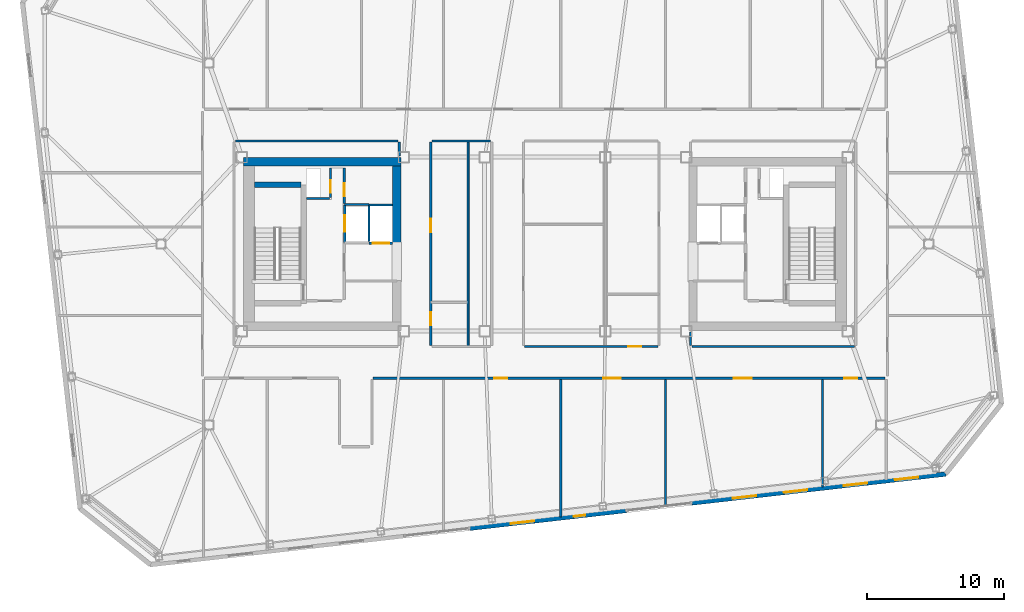
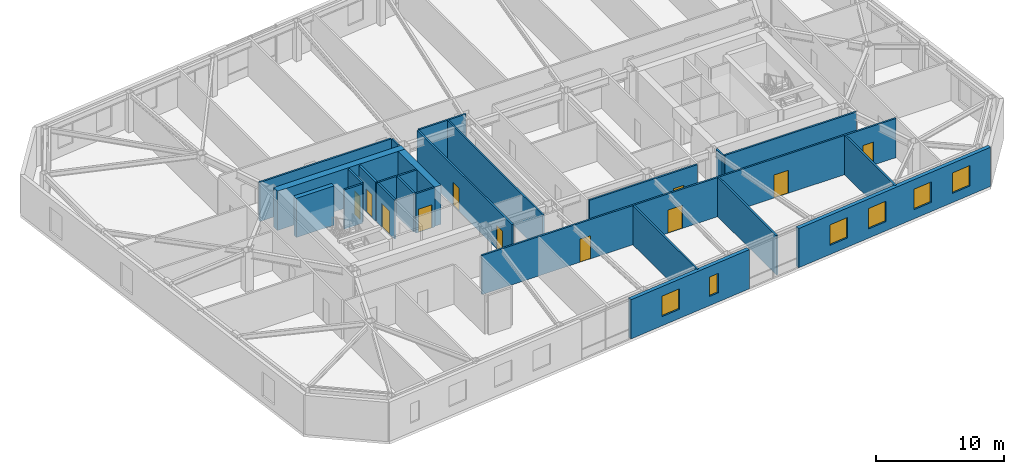
# One storey, part 13 of 19: 25 walls, 11 doors, 6 windows, 17 openings.
"""IFC4 building model written with IfcOpenShell, lengths in metres."""

from ifc_helpers import new_model, si_unit, direction, frame, frame_2d, origin, place, context, subcontext, project, spatial, rectangle, extrude, material, layer, layer_set, type_object, element, fill, save


model = new_model("IFC4")

# Units and contexts
model_context = context("Model", 3, precision=1e-05, world=origin(), true_north=direction((0.0, 1.0)))
body_context = subcontext(model_context, "Body", "Model", "MODEL_VIEW")
ifc_project = project(units=[si_unit("LENGTHUNIT", "METRE"), si_unit("AREAUNIT", "SQUARE_METRE"), si_unit("VOLUMEUNIT", "CUBIC_METRE"), si_unit("PLANEANGLEUNIT", "RADIAN"), si_unit("MASSUNIT", "GRAM", prefix="KILO")], contexts=[model_context])

# Site, building, storey
site_placement = place(None, origin())
site = spatial("IfcSite", under=ifc_project, at=site_placement, CompositionType="ELEMENT")
building_placement = place(site_placement, origin())
building = spatial("IfcBuilding", under=site, at=building_placement, Name="Tavrogorsk Clinical Tower", CompositionType="ELEMENT")
storey_placement = place(building_placement, frame((0.0, 0.0, 255.0)))
storey = spatial("IfcBuildingStorey", under=building, at=storey_placement, Name="L59", CompositionType="ELEMENT", Elevation=255.0)

# Wall, opening, door
ifc_material_1 = material(Name="Concrete B60", Category="concrete")
ifc_layer_1 = layer(ifc_material_1, 0.199951171875)
ifc_layer_set_1 = layer_set([ifc_layer_1], Name="Concrete B60")
wall_type_1 = type_object("IfcWallType", Name="CoreFireWall_200", PredefinedType="SOLIDWALL", material=ifc_layer_set_1)
wall_1_placement = place(storey_placement, frame((-14.639892578125, 2.9599609375, 0.0), z_axis=(0.0, 0.0, 1.0), x_axis=(0.0, 1.0, 0.0)))
wall_1 = element("IfcWall", 1, at=wall_1_placement, inside=storey, type_object=wall_type_1, Name="L59 Core West North Core Room East Wall", PredefinedType="SOLIDWALL", context=body_context, shape_type="SweptSolid", body=[
    extrude(rectangle(XDim=2.60009765625, YDim=0.199951171875, at=frame_2d((1.300048828125, 0.0))), origin(), (0.0, 0.0, 1.0), 3.739990234375),
])
opening_1_placement = place(wall_1_placement, frame((0.52001953125, 0.0, 0.0)))
opening_1 = element("IfcOpeningElement", 2, at=opening_1_placement, cuts=wall_1, Name="Opening ID-02", PredefinedType="OPENING", context=body_context, shape_type="SweptSolid", body=[
    extrude(rectangle(XDim=0.949951171875, YDim=2.199951171875, at=frame_2d((0.47509765625, 1.10009765625))), frame((0.0, 0.10986328125, 0.0), z_axis=(0.0, -1.0, 0.0), x_axis=(1.0, 0.0, 0.0)), (0.0, 0.0, 1.0), 0.219970703125),
])
ifc_material_2 = material(Name="Laminated timber leaf on aluminium frame", Category="wood")
door_type_1 = type_object("IfcDoorType", Name="InteriorDoor_ID02_950", OperationType="NOTDEFINED", PredefinedType="DOOR", material=ifc_material_2)
door_1_placement = place(opening_1_placement, origin())
door_1 = element("IfcDoor", 3, at=door_1_placement, inside=storey, type_object=door_type_1, Name="L59 Core West Core Telemetry Room Door", OperationType="SINGLE_SWING_LEFT", OverallHeight=2.199951171875, OverallWidth=0.949951171875, PredefinedType="DOOR", context=body_context, shape_type="SweptSolid", body=[
    extrude(rectangle(XDim=0.949951171875, YDim=2.199951171875, at=frame_2d((0.47509765625, 1.10009765625))), frame((0.0, 0.02490234375, 0.0), z_axis=(0.0, -1.0, 0.0), x_axis=(1.0, 0.0, 0.0)), (0.0, 0.0, 1.0), 0.050048828125),
])
fill(opening_1, door_1)

# Wall
ifc_material_3 = material(Name="Lightweight concrete blockwork B15", Category="masonry")
ifc_layer_2 = layer(ifc_material_3, 0.139892578125)
ifc_layer_set_2 = layer_set([ifc_layer_2], Name="Lightweight concrete blockwork B15")
wall_type_2 = type_object("IfcWallType", Name="PartitionWall_140", PredefinedType="PARTITIONING", material=ifc_layer_set_2)
wall_2_placement = place(storey_placement, frame((-5.60009765625, -7.465087890625, 0.0), z_axis=(0.0, 0.0, 1.0), x_axis=(0.0, 1.0, 0.0)))
element("IfcWall", 4, at=wall_2_placement, inside=storey, type_object=wall_type_2, Name="L59 Central Spine Partition 1", PredefinedType="PARTITIONING", context=body_context, shape_type="SweptSolid", body=[
    extrude(rectangle(XDim=14.97998046875, YDim=0.139892578125, at=frame_2d((7.489990234375, 0.0))), origin(), (0.0, 0.0, 1.0), 3.739990234375),
])

# Wall, openings, doors
ifc_material_4 = material(Name="Lightweight concrete blockwork B15", Category="masonry")
ifc_layer_3 = layer(ifc_material_4, 0.159912109375)
ifc_layer_set_3 = layer_set([ifc_layer_3], Name="Lightweight concrete blockwork B15")
wall_type_3 = type_object("IfcWallType", Name="PartitionWall_160", PredefinedType="PARTITIONING", material=ifc_layer_set_3)
wall_3_placement = place(storey_placement, frame((24.81494140625, -9.780029296875, 0.0), z_axis=(0.0, 0.0, 1.0), x_axis=(-1.0, 0.0, 0.0)))
wall_3 = element("IfcWall", 5, at=wall_3_placement, inside=storey, type_object=wall_type_3, Name="L59 Corridor Partition 04", PredefinedType="PARTITIONING", context=body_context, shape_type="SweptSolid", body=[
    extrude(rectangle(XDim=37.349853515625, YDim=0.159912109375, at=frame_2d((18.6748046875, 0.0))), origin(), (0.0, 0.0, 1.0), 3.739990234375),
])
opening_2_placement = place(wall_3_placement, frame((27.550048828125, 0.0, 0.0)))
opening_2 = element("IfcOpeningElement", 6, at=opening_2_placement, cuts=wall_3, Name="Opening ID-02", PredefinedType="OPENING", context=body_context, shape_type="SweptSolid", body=[
    extrude(rectangle(XDim=0.949951171875, YDim=2.199951171875, at=frame_2d((0.47509765625, 1.10009765625))), frame((0.0, 0.08984375, 0.0), z_axis=(0.0, -1.0, 0.0), x_axis=(1.0, 0.0, 0.0)), (0.0, 0.0, 1.0), 0.179931640625),
])
opening_3_placement = place(wall_3_placement, frame((19.27490234375, 0.0, 0.0)))
opening_3 = element("IfcOpeningElement", 7, at=opening_3_placement, cuts=wall_3, Name="Opening ID-01", PredefinedType="OPENING", context=body_context, shape_type="SweptSolid", body=[
    extrude(rectangle(XDim=1.300048828125, YDim=2.199951171875, at=frame_2d((0.64990234375, 1.10009765625))), frame((0.0, 0.08984375, 0.0), z_axis=(0.0, -1.0, 0.0), x_axis=(1.0, 0.0, 0.0)), (0.0, 0.0, 1.0), 0.179931640625),
])
opening_4_placement = place(wall_3_placement, frame((9.72509765625, 0.0, 0.0)))
opening_4 = element("IfcOpeningElement", 8, at=opening_4_placement, cuts=wall_3, Name="Opening ID-01", PredefinedType="OPENING", context=body_context, shape_type="SweptSolid", body=[
    extrude(rectangle(XDim=1.300048828125, YDim=2.199951171875, at=frame_2d((0.64990234375, 1.10009765625))), frame((0.0, 0.08984375, 0.0), z_axis=(0.0, -1.0, 0.0), x_axis=(1.0, 0.0, 0.0)), (0.0, 0.0, 1.0), 0.179931640625),
])
opening_5_placement = place(wall_3_placement, frame((2.044189453125, 0.0, 0.0)))
opening_5 = element("IfcOpeningElement", 9, at=opening_5_placement, cuts=wall_3, Name="Opening ID-02", PredefinedType="OPENING", context=body_context, shape_type="SweptSolid", body=[
    extrude(rectangle(XDim=0.949951171875, YDim=2.199951171875, at=frame_2d((0.47509765625, 1.10009765625))), frame((0.0, 0.08984375, 0.0), z_axis=(0.0, -1.0, 0.0), x_axis=(1.0, 0.0, 0.0)), (0.0, 0.0, 1.0), 0.179931640625),
])
door_2_placement = place(opening_2_placement, origin())
door_2 = element("IfcDoor", 10, at=door_2_placement, inside=storey, type_object=door_type_1, Name="L59 South Attending Physician Office 03A Door", OperationType="SINGLE_SWING_LEFT", OverallHeight=2.199951171875, OverallWidth=0.949951171875, PredefinedType="DOOR", context=body_context, shape_type="SweptSolid", body=[
    extrude(rectangle(XDim=0.949951171875, YDim=2.199951171875, at=frame_2d((0.47509765625, 1.10009765625))), frame((0.0, 0.02490234375, 0.0), z_axis=(0.0, -1.0, 0.0), x_axis=(1.0, 0.0, 0.0)), (0.0, 0.0, 1.0), 0.050048828125),
])
fill(opening_2, door_2)
door_3_placement = place(opening_5_placement, origin())
door_3 = element("IfcDoor", 11, at=door_3_placement, inside=storey, type_object=door_type_1, Name="L59 South Clean Medication & Prep Room 05 Door", OperationType="SINGLE_SWING_RIGHT", OverallHeight=2.199951171875, OverallWidth=0.949951171875, PredefinedType="DOOR", context=body_context, shape_type="SweptSolid", body=[
    extrude(rectangle(XDim=0.949951171875, YDim=2.199951171875, at=frame_2d((0.47509765625, 1.10009765625))), frame((0.0, 0.02490234375, 0.0), z_axis=(0.0, -1.0, 0.0), x_axis=(1.0, 0.0, 0.0)), (0.0, 0.0, 1.0), 0.050048828125),
])
fill(opening_5, door_3)
ifc_material_5 = material(Name="Antibacterial HPL medical leaf on aluminium frame", Category="aluminium")
door_type_2 = type_object("IfcDoorType", Name="WardBedDoor_ID01_1300", OperationType="NOTDEFINED", PredefinedType="DOOR", material=ifc_material_5)
door_4_placement = place(opening_3_placement, origin())
door_4 = element("IfcDoor", 12, at=door_4_placement, inside=storey, type_object=door_type_2, Name="L59 South Bariatric Observation Ward 03B Door", OperationType="SINGLE_SWING_RIGHT", OverallHeight=2.199951171875, OverallWidth=1.300048828125, PredefinedType="DOOR", context=body_context, shape_type="SweptSolid", body=[
    extrude(rectangle(XDim=1.300048828125, YDim=2.199951171875, at=frame_2d((0.64990234375, 1.10009765625))), frame((0.0, 0.02490234375, 0.0), z_axis=(0.0, -1.0, 0.0), x_axis=(1.0, 0.0, 0.0)), (0.0, 0.0, 1.0), 0.050048828125),
])
fill(opening_3, door_4)
door_5_placement = place(opening_4_placement, origin())
door_5 = element("IfcDoor", 13, at=door_5_placement, inside=storey, type_object=door_type_2, Name="L59 South Acute Medical Ward 04 Door", OperationType="SINGLE_SWING_LEFT", OverallHeight=2.199951171875, OverallWidth=1.300048828125, PredefinedType="DOOR", context=body_context, shape_type="SweptSolid", body=[
    extrude(rectangle(XDim=1.300048828125, YDim=2.199951171875, at=frame_2d((0.64990234375, 1.10009765625))), frame((0.0, 0.02490234375, 0.0), z_axis=(0.0, -1.0, 0.0), x_axis=(1.0, 0.0, 0.0)), (0.0, 0.0, 1.0), 0.050048828125),
])
fill(opening_4, door_5)

# Walls
wall_4_placement = place(storey_placement, frame((10.6298828125, -6.419921875, 0.0), z_axis=(0.0, 0.0, 1.0), x_axis=(0.0, -1.0, 0.0)))
element("IfcWall", 14, at=wall_4_placement, inside=storey, type_object=wall_type_3, Name="L59 Corridor Partition 11", PredefinedType="PARTITIONING", context=body_context, shape_type="SweptSolid", body=[
    extrude(rectangle(XDim=0.965087890625, YDim=0.159912109375, at=frame_2d((0.482421875, 0.0))), origin(), (0.0, 0.0, 1.0), 3.739990234375),
])
wall_5_placement = place(storey_placement, frame((10.715087890625, -7.469970703125, 0.0), z_axis=(0.0, 0.0, 1.0), x_axis=(1.0, 0.0, 0.0)))
element("IfcWall", 15, at=wall_5_placement, inside=storey, type_object=wall_type_3, Name="L59 Corridor Partition 12", PredefinedType="PARTITIONING", context=body_context, shape_type="SweptSolid", body=[
    extrude(rectangle(XDim=11.869873046875, YDim=0.159912109375, at=frame_2d((5.93505859375, 0.0))), origin(), (0.0, 0.0, 1.0), 3.739990234375),
])

# Wall, opening, door
wall_6_placement = place(storey_placement, frame((-1.485107421875, -7.469970703125, 0.0), z_axis=(0.0, 0.0, 1.0), x_axis=(1.0, 0.0, 0.0)))
wall_6 = element("IfcWall", 16, at=wall_6_placement, inside=storey, type_object=wall_type_3, Name="L59 Corridor Partition 16", PredefinedType="PARTITIONING", context=body_context, shape_type="SweptSolid", body=[
    extrude(rectangle(XDim=9.72021484375, YDim=0.159912109375, at=frame_2d((4.860107421875, 0.0))), origin(), (0.0, 0.0, 1.0), 3.739990234375),
])
opening_6_placement = place(wall_6_placement, frame((7.560791015625, 0.0, 0.0)))
opening_6 = element("IfcOpeningElement", 17, at=opening_6_placement, cuts=wall_6, Name="Opening ID-02", PredefinedType="OPENING", context=body_context, shape_type="SweptSolid", body=[
    extrude(rectangle(XDim=0.949951171875, YDim=2.199951171875, at=frame_2d((0.47509765625, 1.10009765625))), frame((0.0, 0.08984375, 0.0), z_axis=(0.0, -1.0, 0.0), x_axis=(1.0, 0.0, 0.0)), (0.0, 0.0, 1.0), 0.179931640625),
])
door_6_placement = place(opening_6_placement, origin())
door_6 = element("IfcDoor", 18, at=door_6_placement, inside=storey, type_object=door_type_1, Name="L59 Staff & Visitor Accessible WC Door", OperationType="SINGLE_SWING_LEFT", OverallHeight=2.199951171875, OverallWidth=0.949951171875, PredefinedType="DOOR", context=body_context, shape_type="SweptSolid", body=[
    extrude(rectangle(XDim=0.949951171875, YDim=2.199951171875, at=frame_2d((0.47509765625, 1.10009765625))), frame((0.0, 0.02490234375, 0.0), z_axis=(0.0, -1.0, 0.0), x_axis=(1.0, 0.0, 0.0)), (0.0, 0.0, 1.0), 0.050048828125),
])
fill(opening_6, door_6)

# Wall
wall_7_placement = place(storey_placement, frame((-3.965087890625, 7.52001953125, 0.0), z_axis=(0.0, 0.0, 1.0), x_axis=(-1.0, 0.0, 0.0)))
element("IfcWall", 19, at=wall_7_placement, inside=storey, type_object=wall_type_3, Name="L59 Corridor Partition 19", PredefinedType="PARTITIONING", context=body_context, shape_type="SweptSolid", body=[
    extrude(rectangle(XDim=4.27001953125, YDim=0.159912109375, at=frame_2d((2.135009765625, 0.0))), origin(), (0.0, 0.0, 1.0), 3.739990234375),
])

# Wall, openings, doors
wall_8_placement = place(storey_placement, frame((-8.320068359375, 7.43505859375, 0.0), z_axis=(0.0, 0.0, 1.0), x_axis=(0.0, -1.0, 0.0)))
wall_8 = element("IfcWall", 20, at=wall_8_placement, inside=storey, type_object=wall_type_3, Name="L59 Corridor Partition 20", PredefinedType="PARTITIONING", context=body_context, shape_type="SweptSolid", body=[
    extrude(rectangle(XDim=14.820068359375, YDim=0.159912109375, at=frame_2d((7.41015625, 0.0))), origin(), (0.0, 0.0, 1.0), 3.739990234375),
])
opening_7_placement = place(wall_8_placement, frame((12.410888671875, 0.0, 0.0)))
opening_7 = element("IfcOpeningElement", 21, at=opening_7_placement, cuts=wall_8, Name="Opening ID-02", PredefinedType="OPENING", context=body_context, shape_type="SweptSolid", body=[
    extrude(rectangle(XDim=0.949951171875, YDim=2.199951171875, at=frame_2d((0.47509765625, 1.10009765625))), frame((0.0, 0.08984375, 0.0), z_axis=(0.0, -1.0, 0.0), x_axis=(1.0, 0.0, 0.0)), (0.0, 0.0, 1.0), 0.179931640625),
])
opening_8_placement = place(wall_8_placement, frame((5.60400390625, 0.0, 0.0)))
opening_8 = element("IfcOpeningElement", 22, at=opening_8_placement, cuts=wall_8, Name="Opening ID-02", PredefinedType="OPENING", context=body_context, shape_type="SweptSolid", body=[
    extrude(rectangle(XDim=0.949951171875, YDim=2.199951171875, at=frame_2d((0.47509765625, 1.10009765625))), frame((0.0, 0.08984375, 0.0), z_axis=(0.0, -1.0, 0.0), x_axis=(1.0, 0.0, 0.0)), (0.0, 0.0, 1.0), 0.179931640625),
])
door_7_placement = place(opening_7_placement, origin())
door_7 = element("IfcDoor", 23, at=door_7_placement, inside=storey, type_object=door_type_1, Name="L59 Accessible Patient Lavatory Door", OperationType="SINGLE_SWING_LEFT", OverallHeight=2.199951171875, OverallWidth=0.949951171875, PredefinedType="DOOR", context=body_context, shape_type="SweptSolid", body=[
    extrude(rectangle(XDim=0.949951171875, YDim=2.199951171875, at=frame_2d((0.47509765625, 1.10009765625))), frame((0.0, 0.02490234375, 0.0), z_axis=(0.0, -1.0, 0.0), x_axis=(1.0, 0.0, 0.0)), (0.0, 0.0, 1.0), 0.050048828125),
])
fill(opening_7, door_7)
door_8_placement = place(opening_8_placement, origin())
door_8 = element("IfcDoor", 24, at=door_8_placement, inside=storey, type_object=door_type_1, Name="L59 Ward Nourishment Pantry Door", OperationType="SINGLE_SWING_RIGHT", OverallHeight=2.199951171875, OverallWidth=0.949951171875, PredefinedType="DOOR", context=body_context, shape_type="SweptSolid", body=[
    extrude(rectangle(XDim=0.949951171875, YDim=2.199951171875, at=frame_2d((0.47509765625, 1.10009765625))), frame((0.0, 0.02490234375, 0.0), z_axis=(0.0, -1.0, 0.0), x_axis=(1.0, 0.0, 0.0)), (0.0, 0.0, 1.0), 0.050048828125),
])
fill(opening_8, door_8)

# Walls
wall_9_placement = place(storey_placement, frame((-10.6298828125, 6.419921875, 0.0), z_axis=(0.0, 0.0, 1.0), x_axis=(0.0, 1.0, 0.0)))
element("IfcWall", 25, at=wall_9_placement, inside=storey, type_object=wall_type_3, Name="L59 Corridor Partition 23", PredefinedType="PARTITIONING", context=body_context, shape_type="SweptSolid", body=[
    extrude(rectangle(XDim=1.01513671875, YDim=0.159912109375, at=frame_2d((0.507568359375, 0.0))), origin(), (0.0, 0.0, 1.0), 3.739990234375),
])
wall_10_placement = place(storey_placement, frame((-10.715087890625, 7.52001953125, 0.0), z_axis=(0.0, 0.0, 1.0), x_axis=(-1.0, 0.0, 0.0)))
element("IfcWall", 26, at=wall_10_placement, inside=storey, type_object=wall_type_3, Name="L59 Corridor Partition 24", PredefinedType="PARTITIONING", context=body_context, shape_type="SweptSolid", body=[
    extrude(rectangle(XDim=11.869873046875, YDim=0.159912109375, at=frame_2d((5.93505859375, 0.0))), origin(), (0.0, 0.0, 1.0), 3.739990234375),
])
wall_11_placement = place(storey_placement, frame((8.800048828125, -19.03369140625, 0.0), z_axis=(0.0, 0.0, 1.0), x_axis=(0.0, 1.0, 0.0)))
element("IfcWall", 27, at=wall_11_placement, inside=storey, type_object=wall_type_3, Name="L59 South Room Partition 3", PredefinedType="PARTITIONING", context=body_context, shape_type="SweptSolid", body=[
    extrude(rectangle(XDim=9.168701171875, YDim=0.159912109375, at=frame_2d((4.58447265625, 0.0))), origin(), (0.0, 0.0, 1.0), 3.739990234375),
])
wall_12_placement = place(storey_placement, frame((20.25, -17.729248046875, 0.0), z_axis=(0.0, 0.0, 1.0), x_axis=(0.0, 1.0, 0.0)))
element("IfcWall", 28, at=wall_12_placement, inside=storey, type_object=wall_type_3, Name="L59 South Room Partition 4", PredefinedType="PARTITIONING", context=body_context, shape_type="SweptSolid", body=[
    extrude(rectangle(XDim=7.8642578125, YDim=0.159912109375, at=frame_2d((3.93212890625, 0.0))), origin(), (0.0, 0.0, 1.0), 3.739990234375),
])
wall_13_placement = place(storey_placement, frame((1.14990234375, -19.905517578125, 0.0), z_axis=(0.0, 0.0, 1.0), x_axis=(0.0, 1.0, 0.0)))
element("IfcWall", 29, at=wall_13_placement, inside=storey, type_object=wall_type_3, Name="L59 South Sub-Partition 3", PredefinedType="PARTITIONING", context=body_context, shape_type="SweptSolid", body=[
    extrude(rectangle(XDim=10.04052734375, YDim=0.159912109375, at=frame_2d((5.020263671875, 0.0))), origin(), (0.0, 0.0, 1.0), 3.739990234375),
])

# Wall, openings, windows
ifc_material_6 = material(Name="Precast concrete B45 with limestone cladding", Category="masonry")
ifc_layer_4 = layer(ifc_material_6, 0.340087890625)
ifc_layer_set_4 = layer_set([ifc_layer_4], Name="Precast concrete B45 with limestone cladding")
wall_type_4 = type_object("IfcWallType", Name="PrecastLimestoneWall_340", PredefinedType="STANDARD", material=ifc_layer_set_4)
wall_14_placement = place(storey_placement, frame((-5.48193359375, -20.7314453125, 0.0), z_axis=(0.0, 0.0, 1.0), x_axis=(0.993571968199, 0.113202226169, 0.0)))
wall_14 = element("IfcWall", 30, at=wall_14_placement, inside=storey, type_object=wall_type_4, Name="L59 S Limestone Facade Wall 2", PredefinedType="STANDARD", context=body_context, shape_type="SweptSolid", body=[
    extrude(rectangle(XDim=11.497314453125, YDim=0.340087890625, at=frame_2d((5.74853515625, 0.0))), origin(), (0.0, 0.0, 1.0), 3.739990234375),
])
opening_9_placement = place(wall_14_placement, frame((3.0244140625, 0.0, 0.8798828125)))
opening_9 = element("IfcOpeningElement", 31, at=opening_9_placement, cuts=wall_14, Name="Opening WN-15", PredefinedType="OPENING", context=body_context, shape_type="SweptSolid", body=[
    extrude(rectangle(XDim=1.699951171875, YDim=1.949951171875, at=frame_2d((0.85009765625, 0.97509765625))), frame((0.0, 0.179931640625, 0.0), z_axis=(0.0, -1.0, 0.0), x_axis=(1.0, 0.0, 0.0)), (0.0, 0.0, 1.0), 0.360107421875),
])
opening_10_placement = place(wall_14_placement, frame((7.622802734375, 0.0, 0.8798828125)))
opening_10 = element("IfcOpeningElement", 32, at=opening_10_placement, cuts=wall_14, Name="Opening WN-06", PredefinedType="OPENING", context=body_context, shape_type="SweptSolid", body=[
    extrude(rectangle(XDim=0.85009765625, YDim=1.85009765625, at=frame_2d((0.425048828125, 0.925048828125))), frame((0.0, 0.179931640625, 0.0), z_axis=(0.0, -1.0, 0.0), x_axis=(1.0, 0.0, 0.0)), (0.0, 0.0, 1.0), 0.360107421875),
])
ifc_material_7 = material(Name="Thermally broken aluminium frame and triple IGU", Category="aluminium")
window_type_1 = type_object("IfcWindowType", Name="MullionSubWin_850x1850", PartitioningType="SINGLE_PANEL", PredefinedType="WINDOW", material=ifc_material_7)
window_1_placement = place(opening_10_placement, origin())
window_1 = element("IfcWindow", 33, at=window_1_placement, inside=storey, type_object=window_type_1, Name="L59 S Mullion Split Window 06B", OverallHeight=1.85009765625, OverallWidth=0.85009765625, PartitioningType="SINGLE_PANEL", PredefinedType="WINDOW", context=body_context, shape_type="SweptSolid", body=[
    extrude(rectangle(XDim=0.85009765625, YDim=1.85009765625, at=frame_2d((0.425048828125, 0.925048828125))), frame((0.0, 0.030029296875, 0.0), z_axis=(0.0, -1.0, 0.0), x_axis=(1.0, 0.0, 0.0)), (0.0, 0.0, 1.0), 0.06005859375),
])
fill(opening_10, window_1)
ifc_material_8 = material(Name="Thermally broken aluminium frame and triple IGU", Category="aluminium")
window_type_2 = type_object("IfcWindowType", Name="OfficeChicagoWin_1700x1950", PartitioningType="SINGLE_PANEL", PredefinedType="WINDOW", material=ifc_material_8)
window_2_placement = place(opening_9_placement, origin())
window_2 = element("IfcWindow", 34, at=window_2_placement, inside=storey, type_object=window_type_2, Name="L59 S Chicago Window 05", OverallHeight=1.949951171875, OverallWidth=1.699951171875, PartitioningType="SINGLE_PANEL", PredefinedType="WINDOW", context=body_context, shape_type="SweptSolid", body=[
    extrude(rectangle(XDim=1.699951171875, YDim=1.949951171875, at=frame_2d((0.85009765625, 0.97509765625))), frame((0.0, 0.030029296875, 0.0), z_axis=(0.0, -1.0, 0.0), x_axis=(1.0, 0.0, 0.0)), (0.0, 0.0, 1.0), 0.06005859375),
])
fill(opening_9, window_2)

wall_15_placement = place(storey_placement, frame((10.71044921875, -18.886474609375, 0.0), z_axis=(0.0, 0.0, 1.0), x_axis=(0.993572271362, 0.113199565282, 0.0)))
wall_15 = element("IfcWall", 35, at=wall_15_placement, inside=storey, type_object=wall_type_4, Name="L59 S Limestone Facade Wall 3", PredefinedType="STANDARD", context=body_context, shape_type="SweptSolid", body=[
    extrude(rectangle(XDim=18.6513671875, YDim=0.340087890625, at=frame_2d((9.32568359375, 0.0))), origin(), (0.0, 0.0, 1.0), 3.739990234375),
])
opening_11_placement = place(wall_15_placement, frame((3.0244140625, 0.0, 0.8798828125)))
opening_11 = element("IfcOpeningElement", 36, at=opening_11_placement, cuts=wall_15, Name="Opening WN-15", PredefinedType="OPENING", context=body_context, shape_type="SweptSolid", body=[
    extrude(rectangle(XDim=1.699951171875, YDim=1.949951171875, at=frame_2d((0.85009765625, 0.97509765625))), frame((0.0, 0.179931640625, 0.0), z_axis=(0.0, -1.0, 0.0), x_axis=(1.0, 0.0, 0.0)), (0.0, 0.0, 1.0), 0.360107421875),
])
opening_12_placement = place(wall_15_placement, frame((6.772705078125, 0.0, 0.8798828125)))
opening_12 = element("IfcOpeningElement", 37, at=opening_12_placement, cuts=wall_15, Name="Opening WN-15", PredefinedType="OPENING", context=body_context, shape_type="SweptSolid", body=[
    extrude(rectangle(XDim=1.699951171875, YDim=1.949951171875, at=frame_2d((0.85009765625, 0.97509765625))), frame((0.0, 0.179931640625, 0.0), z_axis=(0.0, -1.0, 0.0), x_axis=(1.0, 0.0, 0.0)), (0.0, 0.0, 1.0), 0.360107421875),
])
opening_13_placement = place(wall_15_placement, frame((11.1728515625, 0.0, 0.8798828125)))
opening_13 = element("IfcOpeningElement", 38, at=opening_13_placement, cuts=wall_15, Name="Opening WN-15", PredefinedType="OPENING", context=body_context, shape_type="SweptSolid", body=[
    extrude(rectangle(XDim=1.699951171875, YDim=1.949951171875, at=frame_2d((0.85009765625, 0.97509765625))), frame((0.0, 0.179931640625, 0.0), z_axis=(0.0, -1.0, 0.0), x_axis=(1.0, 0.0, 0.0)), (0.0, 0.0, 1.0), 0.360107421875),
])
opening_14_placement = place(wall_15_placement, frame((14.921142578125, 0.0, 0.8798828125)))
opening_14 = element("IfcOpeningElement", 39, at=opening_14_placement, cuts=wall_15, Name="Opening WN-15", PredefinedType="OPENING", context=body_context, shape_type="SweptSolid", body=[
    extrude(rectangle(XDim=1.699951171875, YDim=1.949951171875, at=frame_2d((0.85009765625, 0.97509765625))), frame((0.0, 0.179931640625, 0.0), z_axis=(0.0, -1.0, 0.0), x_axis=(1.0, 0.0, 0.0)), (0.0, 0.0, 1.0), 0.360107421875),
])
window_3_placement = place(opening_11_placement, origin())
window_3 = element("IfcWindow", 40, at=window_3_placement, inside=storey, type_object=window_type_2, Name="L59 S Chicago Window 07", OverallHeight=1.949951171875, OverallWidth=1.699951171875, PartitioningType="SINGLE_PANEL", PredefinedType="WINDOW", context=body_context, shape_type="SweptSolid", body=[
    extrude(rectangle(XDim=1.699951171875, YDim=1.949951171875, at=frame_2d((0.85009765625, 0.97509765625))), frame((0.0, 0.030029296875, 0.0), z_axis=(0.0, -1.0, 0.0), x_axis=(1.0, 0.0, 0.0)), (0.0, 0.0, 1.0), 0.06005859375),
])
fill(opening_11, window_3)
window_4_placement = place(opening_12_placement, origin())
window_4 = element("IfcWindow", 41, at=window_4_placement, inside=storey, type_object=window_type_2, Name="L59 S Chicago Window 08", OverallHeight=1.949951171875, OverallWidth=1.699951171875, PartitioningType="SINGLE_PANEL", PredefinedType="WINDOW", context=body_context, shape_type="SweptSolid", body=[
    extrude(rectangle(XDim=1.699951171875, YDim=1.949951171875, at=frame_2d((0.85009765625, 0.97509765625))), frame((0.0, 0.030029296875, 0.0), z_axis=(0.0, -1.0, 0.0), x_axis=(1.0, 0.0, 0.0)), (0.0, 0.0, 1.0), 0.06005859375),
])
fill(opening_12, window_4)
window_5_placement = place(opening_13_placement, origin())
window_5 = element("IfcWindow", 42, at=window_5_placement, inside=storey, type_object=window_type_2, Name="L59 S Chicago Window 09", OverallHeight=1.949951171875, OverallWidth=1.699951171875, PartitioningType="SINGLE_PANEL", PredefinedType="WINDOW", context=body_context, shape_type="SweptSolid", body=[
    extrude(rectangle(XDim=1.699951171875, YDim=1.949951171875, at=frame_2d((0.85009765625, 0.97509765625))), frame((0.0, 0.030029296875, 0.0), z_axis=(0.0, -1.0, 0.0), x_axis=(1.0, 0.0, 0.0)), (0.0, 0.0, 1.0), 0.06005859375),
])
fill(opening_13, window_5)
window_6_placement = place(opening_14_placement, origin())
window_6 = element("IfcWindow", 43, at=window_6_placement, inside=storey, type_object=window_type_2, Name="L59 S Chicago Window 10", OverallHeight=1.949951171875, OverallWidth=1.699951171875, PartitioningType="SINGLE_PANEL", PredefinedType="WINDOW", context=body_context, shape_type="SweptSolid", body=[
    extrude(rectangle(XDim=1.699951171875, YDim=1.949951171875, at=frame_2d((0.85009765625, 0.97509765625))), frame((0.0, 0.030029296875, 0.0), z_axis=(0.0, -1.0, 0.0), x_axis=(1.0, 0.0, 0.0)), (0.0, 0.0, 1.0), 0.06005859375),
])
fill(opening_14, window_6)

# Wall, opening, door
ifc_material_9 = material(Name="Lightweight concrete blockwork B25", Category="masonry")
ifc_layer_5 = layer(ifc_material_9, 0.159912109375)
ifc_layer_set_5 = layer_set([ifc_layer_5], Name="Lightweight concrete blockwork B25")
wall_type_5 = type_object("IfcWallType", Name="ShaftWall_160", PredefinedType="PARTITIONING", material=ifc_layer_set_5)
wall_16_placement = place(storey_placement, frame((-14.60009765625, 0.1201171875, 0.0), z_axis=(0.0, 0.0, 1.0), x_axis=(0.0, 1.0, 0.0)))
wall_16 = element("IfcWall", 44, at=wall_16_placement, inside=storey, type_object=wall_type_5, Name="L59 FFL-W Firefighting Lift Front Wall", PredefinedType="PARTITIONING", context=body_context, shape_type="SweptSolid", body=[
    extrude(rectangle(XDim=2.739990234375, YDim=0.159912109375, at=frame_2d((1.3701171875, 0.0))), origin(), (0.0, 0.0, 1.0), 3.739990234375),
])
opening_15_placement = place(wall_16_placement, frame((0.77001953125, 0.0, 0.0)))
opening_15 = element("IfcOpeningElement", 45, at=opening_15_placement, cuts=wall_16, Name="Opening LD", PredefinedType="OPENING", context=body_context, shape_type="SweptSolid", body=[
    extrude(rectangle(XDim=1.199951171875, YDim=2.199951171875, at=frame_2d((0.60009765625, 1.10009765625))), frame((0.0, 0.08984375, 0.0), z_axis=(0.0, -1.0, 0.0), x_axis=(1.0, 0.0, 0.0)), (0.0, 0.0, 1.0), 0.179931640625),
])
ifc_material_10 = material(Name="Brushed stainless steel AISI 304 sliding doors", Category="steel")
door_type_3 = type_object("IfcDoorType", Name="LiftLandingDoor_LD_1200", OperationType="SLIDING_TO_LEFT", PredefinedType="DOOR", material=ifc_material_10)
door_9_placement = place(opening_15_placement, origin())
door_9 = element("IfcDoor", 46, at=door_9_placement, inside=storey, type_object=door_type_3, Name="L59 FFL-W Sliding Lift Landing Door", OperationType="SLIDING_TO_LEFT", OverallHeight=2.199951171875, OverallWidth=1.199951171875, PredefinedType="DOOR", context=body_context, shape_type="SweptSolid", body=[
    extrude(rectangle(XDim=1.199951171875, YDim=2.199951171875, at=frame_2d((0.60009765625, 1.10009765625))), frame((0.0, 0.02490234375, 0.0), z_axis=(0.0, -1.0, 0.0), x_axis=(1.0, 0.0, 0.0)), (0.0, 0.0, 1.0), 0.050048828125),
])
fill(opening_15, door_9)

# Walls
wall_17_placement = place(storey_placement, frame((-14.60009765625, 2.8798828125, 0.0), z_axis=(0.0, 0.0, 1.0), x_axis=(1.0, 0.0, 0.0)))
element("IfcWall", 47, at=wall_17_placement, inside=storey, type_object=wall_type_5, Name="L59 FFL-W Shaft North Wall", PredefinedType="PARTITIONING", context=body_context, shape_type="SweptSolid", body=[
    extrude(rectangle(XDim=1.760009765625, YDim=0.159912109375, at=frame_2d((0.8798828125, 0.0))), origin(), (0.0, 0.0, 1.0), 3.739990234375),
])
wall_18_placement = place(storey_placement, frame((-12.840087890625, 0.179931640625, 0.0), z_axis=(0.0, 0.0, 1.0), x_axis=(0.0, 1.0, 0.0)))
element("IfcWall", 48, at=wall_18_placement, inside=storey, type_object=wall_type_5, Name="L59 FFL-W Shaft Back Wall", PredefinedType="PARTITIONING", context=body_context, shape_type="SweptSolid", body=[
    extrude(rectangle(XDim=2.6201171875, YDim=0.159912109375, at=frame_2d((1.31005859375, 0.0))), origin(), (0.0, 0.0, 1.0), 3.739990234375),
])

# Wall, opening, door
wall_19_placement = place(storey_placement, frame((-12.820068359375, 0.06005859375, 0.0), z_axis=(0.0, 0.0, 1.0), x_axis=(1.0, 0.0, 0.0)))
wall_19 = element("IfcWall", 49, at=wall_19_placement, inside=storey, type_object=wall_type_5, Name="L59 LP-H1 High-Zone Lift Portal Wall", PredefinedType="PARTITIONING", context=body_context, shape_type="SweptSolid", body=[
    extrude(rectangle(XDim=1.719970703125, YDim=0.159912109375, at=frame_2d((0.85986328125, 0.0))), origin(), (0.0, 0.0, 1.0), 3.739990234375),
])
opening_16_placement = place(wall_19_placement, frame((0.260009765625, 0.0, 0.0)))
opening_16 = element("IfcOpeningElement", 50, at=opening_16_placement, cuts=wall_19, Name="Opening LD", PredefinedType="OPENING", context=body_context, shape_type="SweptSolid", body=[
    extrude(rectangle(XDim=1.199951171875, YDim=2.199951171875, at=frame_2d((0.60009765625, 1.10009765625))), frame((0.0, 0.08984375, 0.0), z_axis=(0.0, -1.0, 0.0), x_axis=(1.0, 0.0, 0.0)), (0.0, 0.0, 1.0), 0.179931640625),
])
door_10_placement = place(opening_16_placement, origin())
door_10 = element("IfcDoor", 51, at=door_10_placement, inside=storey, type_object=door_type_3, Name="L59 LP-H1 Sliding Lift Landing Door", OperationType="SLIDING_TO_LEFT", OverallHeight=2.199951171875, OverallWidth=1.199951171875, PredefinedType="DOOR", context=body_context, shape_type="SweptSolid", body=[
    extrude(rectangle(XDim=1.199951171875, YDim=2.199951171875, at=frame_2d((0.60009765625, 1.10009765625))), frame((0.0, 0.02490234375, 0.0), z_axis=(0.0, -1.0, 0.0), x_axis=(1.0, 0.0, 0.0)), (0.0, 0.0, 1.0), 0.050048828125),
])
fill(opening_16, door_10)

# Wall
wall_20_placement = place(storey_placement, frame((-12.820068359375, 2.860107421875, 0.0), z_axis=(0.0, 0.0, 1.0), x_axis=(1.0, 0.0, 0.0)))
element("IfcWall", 52, at=wall_20_placement, inside=storey, type_object=wall_type_5, Name="L59 LP-H1 High-Zone Lift Rear Wall", PredefinedType="PARTITIONING", context=body_context, shape_type="SweptSolid", body=[
    extrude(rectangle(XDim=1.719970703125, YDim=0.159912109375, at=frame_2d((0.85986328125, 0.0))), origin(), (0.0, 0.0, 1.0), 3.739990234375),
])

# Wall, opening, door
wall_21_placement = place(storey_placement, frame((-15.639892578125, 3.405029296875, 0.0), z_axis=(0.0, 0.0, 1.0), x_axis=(0.0, 1.0, 0.0)))
wall_21 = element("IfcWall", 53, at=wall_21_placement, inside=storey, type_object=wall_type_5, Name="L59 Core West Riser West Wall", PredefinedType="PARTITIONING", context=body_context, shape_type="SweptSolid", body=[
    extrude(rectangle(XDim=2.155029296875, YDim=0.159912109375, at=frame_2d((1.07763671875, 0.0))), origin(), (0.0, 0.0, 1.0), 3.739990234375),
])
opening_17_placement = place(wall_21_placement, frame((0.35009765625, 0.0, 0.0)))
opening_17 = element("IfcOpeningElement", 54, at=opening_17_placement, cuts=wall_21, Name="Opening FD-02", PredefinedType="OPENING", context=body_context, shape_type="SweptSolid", body=[
    extrude(rectangle(XDim=0.89990234375, YDim=2.199951171875, at=frame_2d((0.449951171875, 1.10009765625))), frame((0.0, 0.08984375, 0.0), z_axis=(0.0, -1.0, 0.0), x_axis=(1.0, 0.0, 0.0)), (0.0, 0.0, 1.0), 0.179931640625),
])
ifc_material_11 = material(Name="Galvanised steel fire-rated door assembly", Category="steel")
door_type_4 = type_object("IfcDoorType", Name="FireDoor_FD02_900", OperationType="NOTDEFINED", PredefinedType="DOOR", material=ifc_material_11)
door_11_placement = place(opening_17_placement, origin())
door_11 = element("IfcDoor", 55, at=door_11_placement, inside=storey, type_object=door_type_4, Name="L59 Core West Electrical Riser Access Door", OperationType="SINGLE_SWING_LEFT", OverallHeight=2.199951171875, OverallWidth=0.89990234375, PredefinedType="DOOR", context=body_context, shape_type="SweptSolid", body=[
    extrude(rectangle(XDim=0.89990234375, YDim=2.199951171875, at=frame_2d((0.449951171875, 1.10009765625))), frame((0.0, 0.02490234375, 0.0), z_axis=(0.0, -1.0, 0.0), x_axis=(1.0, 0.0, 0.0)), (0.0, 0.0, 1.0), 0.050048828125),
])
fill(opening_17, door_11)

# Walls
wall_22_placement = place(storey_placement, frame((-17.3798828125, 3.320068359375, 0.0), z_axis=(0.0, 0.0, 1.0), x_axis=(1.0, 0.0, 0.0)))
element("IfcWall", 56, at=wall_22_placement, inside=storey, type_object=wall_type_5, Name="L59 Core West Riser South Wall", PredefinedType="PARTITIONING", context=body_context, shape_type="SweptSolid", body=[
    extrude(rectangle(XDim=1.65478515625, YDim=0.159912109375, at=frame_2d((0.827392578125, 0.0))), origin(), (0.0, 0.0, 1.0), 3.739990234375),
])
ifc_material_12 = material(Name="Concrete B80", Category="concrete")
ifc_layer_6 = layer(ifc_material_12, 0.39990234375)
ifc_layer_set_6 = layer_set([ifc_layer_6], Name="Concrete B80")
wall_type_6 = type_object("IfcWallType", Name="ShearWall_400", PredefinedType="SHEAR", material=ifc_layer_set_6)
wall_23_placement = place(storey_placement, frame((-21.199951171875, 4.324951171875, 0.0), z_axis=(0.0, 0.0, 1.0), x_axis=(1.0, 0.0, 0.0)))
element("IfcWall", 57, at=wall_23_placement, inside=storey, type_object=wall_type_6, Name="L59 Core West Stair Shaft North Shear Wall", PredefinedType="SHEAR", context=body_context, shape_type="SweptSolid", body=[
    extrude(rectangle(XDim=3.39990234375, YDim=0.39990234375, at=frame_2d((1.699951171875, 0.0))), origin(), (0.0, 0.0, 1.0), 3.739990234375),
])
ifc_material_13 = material(Name="Concrete B80", Category="concrete")
ifc_layer_7 = layer(ifc_material_13, 0.60009765625)
ifc_layer_set_7 = layer_set([ifc_layer_7], Name="Concrete B80")
wall_type_7 = type_object("IfcWallType", Name="ShearWall_600", PredefinedType="SHEAR", material=ifc_layer_set_7)
wall_24_placement = place(storey_placement, frame((-22.0, 6.0, 0.0), z_axis=(0.0, 0.0, 1.0), x_axis=(1.0, 0.0, 0.0)))
element("IfcWall", 58, at=wall_24_placement, inside=storey, type_object=wall_type_7, Name="L59 Core West North Shear Wall", PredefinedType="SHEAR", context=body_context, shape_type="SweptSolid", body=[
    extrude(rectangle(XDim=11.5, YDim=0.60009765625, at=frame_2d((5.75, 0.0))), origin(), (0.0, 0.0, 1.0), 3.739990234375),
])
wall_25_placement = place(storey_placement, frame((-10.800048828125, 0.050048828125, 0.0), z_axis=(0.0, 0.0, 1.0), x_axis=(0.0, 1.0, 0.0)))
element("IfcWall", 59, at=wall_25_placement, inside=storey, type_object=wall_type_7, Name="L59 Core West Inner North Pier", PredefinedType="SHEAR", context=body_context, shape_type="SweptSolid", body=[
    extrude(rectangle(XDim=5.64990234375, YDim=0.60009765625, at=frame_2d((2.824951171875, 0.0))), origin(), (0.0, 0.0, 1.0), 3.739990234375),
])

save(model, "model.ifc")
